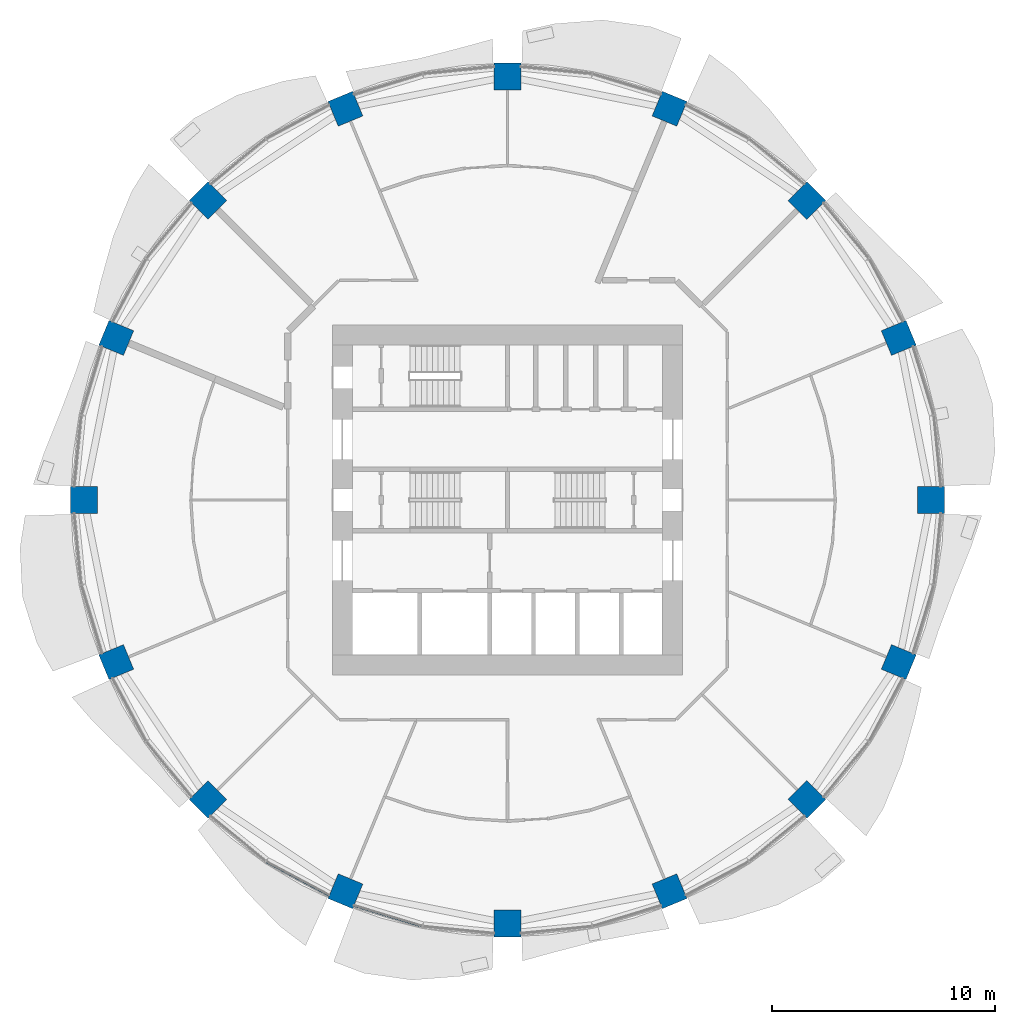
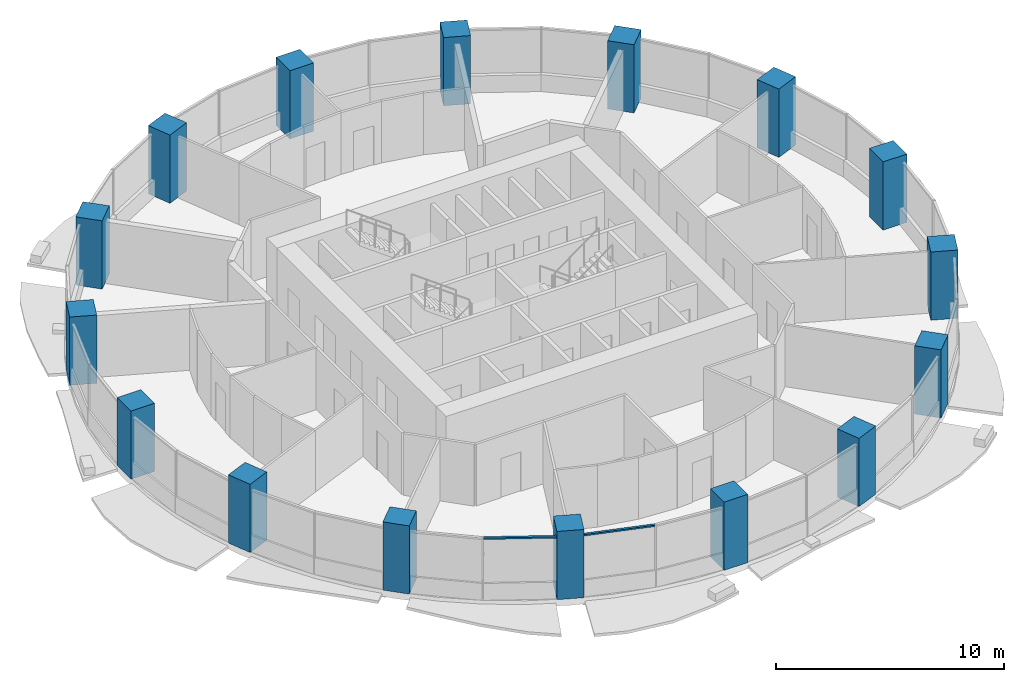
# One storey, part 1 of 15: 16 columns, 2 members, 2 elements without a shape of their own.
"""IFC4 building model written with IfcOpenShell, lengths in metres."""

from ifc_helpers import new_model, si_unit, direction, frame, origin, origin_2d, place, context, subcontext, project, spatial, rectangle, extrude, material, material_profile, profile_set, type_object, element, aggregate, save


model = new_model("IFC4")

# Units and contexts
model_context = context("Model", 3, precision=1e-05, world=origin(), true_north=direction((0.0, 1.0)))
body_context = subcontext(model_context, "Body", "Model", "MODEL_VIEW")
ifc_project = project(units=[si_unit("LENGTHUNIT", "METRE"), si_unit("AREAUNIT", "SQUARE_METRE"), si_unit("VOLUMEUNIT", "CUBIC_METRE"), si_unit("PLANEANGLEUNIT", "RADIAN"), si_unit("MASSUNIT", "GRAM", prefix="KILO")], contexts=[model_context])

# Site, building, storey
site_placement = place(None, origin())
site = spatial("IfcSite", under=ifc_project, at=site_placement, CompositionType="ELEMENT")
building_placement = place(site_placement, origin())
building = spatial("IfcBuilding", under=site, at=building_placement, Name="Polderwave Tower", CompositionType="ELEMENT")
storey_placement = place(building_placement, frame((0.0, 0.0, 55.39990234375)))
storey = spatial("IfcBuildingStorey", under=building, at=storey_placement, Name="L14", CompositionType="ELEMENT", Elevation=55.39990234375)

# Columns
ifc_material_1 = material(Name="Concrete C70/85", Category="concrete")
ifc_material_profile_1 = material_profile(ifc_material_1, rectangle(XDim=1.199951171875, YDim=1.199951171875, at=origin_2d()), Name="RC 1200x1200")
ifc_profile_set_1 = profile_set([ifc_material_profile_1], Name="Concrete C70/85")
column_type = type_object("IfcColumnType", Name="RC COLUMN 1200x1200 C70/85", PredefinedType="COLUMN", material=ifc_profile_set_1)
for number, where, z_axis, x_axis, name in (
    (1, (19.030029296875, 0.0, 0.0), (0.0, 0.0, 1.0), (1.0, 0.0, 0.0), "Ring column 01"),
    (2, (17.58154296875, 7.282470703125, 0.0), (0.0, 0.0, 1.0), (0.923879532511, 0.382683432365, 0.0), "Ring column 02"),
    (3, (13.456298828125, 13.456298828125, 0.0), (0.0, 0.0, 1.0), (0.707106781187, 0.707106781187, 0.0), "Ring column 03"),
    (4, (7.282470703125, 17.58154296875, 0.0), (0.0, 0.0, 1.0), (0.382683432365, 0.923879532511, 0.0), "Ring column 04"),
    (5, (0.0, 19.030029296875, 0.0), (0.0, 0.0, 1.0), (0.0, 1.0, 0.0), "Ring column 05"),
    (6, (-7.282470703125, 17.58154296875, 0.0), (0.0, 0.0, 1.0), (-0.382683432365, 0.923879532511, 0.0), "Ring column 06"),
    (7, (-13.456298828125, 13.456298828125, 0.0), (0.0, 0.0, 1.0), (-0.707106781187, 0.707106781187, 0.0), "Ring column 07"),
    (8, (-17.58154296875, 7.282470703125, 0.0), (0.0, 0.0, 1.0), (-0.923879532511, 0.382683432365, 0.0), "Ring column 08"),
    (9, (-19.030029296875, 0.0, 0.0), (0.0, 0.0, 1.0), (-1.0, 0.0, 0.0), "Ring column 09"),
    (10, (-17.58154296875, -7.282470703125, 0.0), (0.0, 0.0, 1.0), (-0.923879532511, -0.382683432365, 0.0), "Ring column 10"),
    (11, (-13.456298828125, -13.456298828125, 0.0), (0.0, 0.0, 1.0), (-0.707106781187, -0.707106781187, 0.0), "Ring column 11"),
    (12, (-7.282470703125, -17.58154296875, 0.0), (0.0, 0.0, 1.0), (-0.382683432365, -0.923879532511, 0.0), "Ring column 12"),
    (13, (0.0, -19.030029296875, 0.0), (0.0, 0.0, 1.0), (0.0, -1.0, 0.0), "Ring column 13"),
    (14, (7.282470703125, -17.58154296875, 0.0), (0.0, 0.0, 1.0), (0.382683432365, -0.923879532511, 0.0), "Ring column 14"),
    (15, (13.456298828125, -13.456298828125, 0.0), (0.0, 0.0, 1.0), (0.707106781187, -0.707106781187, 0.0), "Ring column 15"),
    (16, (17.58154296875, -7.282470703125, 0.0), (0.0, 0.0, 1.0), (0.923879532511, -0.382683432365, 0.0), "Ring column 16"),
):
    element("IfcColumn", number, at=place(storey_placement, frame(where, z_axis=z_axis, x_axis=x_axis)), inside=storey, type_object=column_type, Name=name, PredefinedType="COLUMN", context=body_context, shape_type="SweptSolid", body=[
        extrude(rectangle(XDim=1.199951171875, YDim=1.199951171875, at=origin_2d()), origin(), (0.0, 0.0, 1.0), 3.650146484375),
    ])

# Curtain wall, member
ifc_material_2 = material(Name="Aluminium 6063-T6 and glass", Category="aluminium")
curtain_wall_type = type_object("IfcCurtainWallType", Name="Growing floor ribbon glazing wall", PredefinedType="NOTDEFINED", material=ifc_material_2)
curtain_wall_1_placement = place(storey_placement, origin())
curtain_wall_1 = element("IfcCurtainWall", 17, at=curtain_wall_1_placement, inside=storey, type_object=curtain_wall_type, Name="CW2 L14 10", PredefinedType="NOTDEFINED")
ifc_material_3 = material(Name="Aluminium 6063-T6", Category="aluminium")
ifc_material_profile_2 = material_profile(ifc_material_3, rectangle(XDim=0.1201171875, YDim=0.080078125, at=origin_2d()), Name="AL 80x120")
ifc_profile_set_2 = profile_set([ifc_material_profile_2], Name="Aluminium 6063-T6")
member_type = type_object("IfcMemberType", Name="Growing floor ribbon glazing transom 80x120", PredefinedType="USERDEFINED", material=ifc_profile_set_2)
member_1_placement = place(storey_placement, frame((-10.823486328125, -16.253173828125, 3.260009765625), z_axis=(0.881929477556, -0.471381370673, 0.0), x_axis=(0.471381370673, 0.881929477556, 0.0)))
member_1 = element("IfcMember", 18, at=member_1_placement, type_object=member_type, Name="CW2 transom 2", ObjectType="TRANSOM", PredefinedType="USERDEFINED", context=body_context, shape_type="SweptSolid", body=[
    extrude(rectangle(XDim=0.1201171875, YDim=0.080078125, at=origin_2d()), origin(), (0.0, 0.0, 1.0), 3.194580078125),
])
aggregate(curtain_wall_1, [member_1])

curtain_wall_2_placement = place(storey_placement, origin())
curtain_wall_2 = element("IfcCurtainWall", 19, at=curtain_wall_2_placement, inside=storey, type_object=curtain_wall_type, Name="CW2 L14 11", PredefinedType="NOTDEFINED")
member_2_placement = place(storey_placement, frame((-6.89697265625, -18.218017578125, 3.260009765625), z_axis=(0.95689839473, -0.290422902272, 0.0), x_axis=(0.290422902272, 0.95689839473, 0.0)))
member_2 = element("IfcMember", 20, at=member_2_placement, type_object=member_type, Name="CW2 transom 1", ObjectType="TRANSOM", PredefinedType="USERDEFINED", context=body_context, shape_type="SweptSolid", body=[
    extrude(rectangle(XDim=0.1201171875, YDim=0.080078125, at=origin_2d()), origin(), (0.0, 0.0, 1.0), 3.196044921875),
])
aggregate(curtain_wall_2, [member_2])

save(model, "model.ifc")
